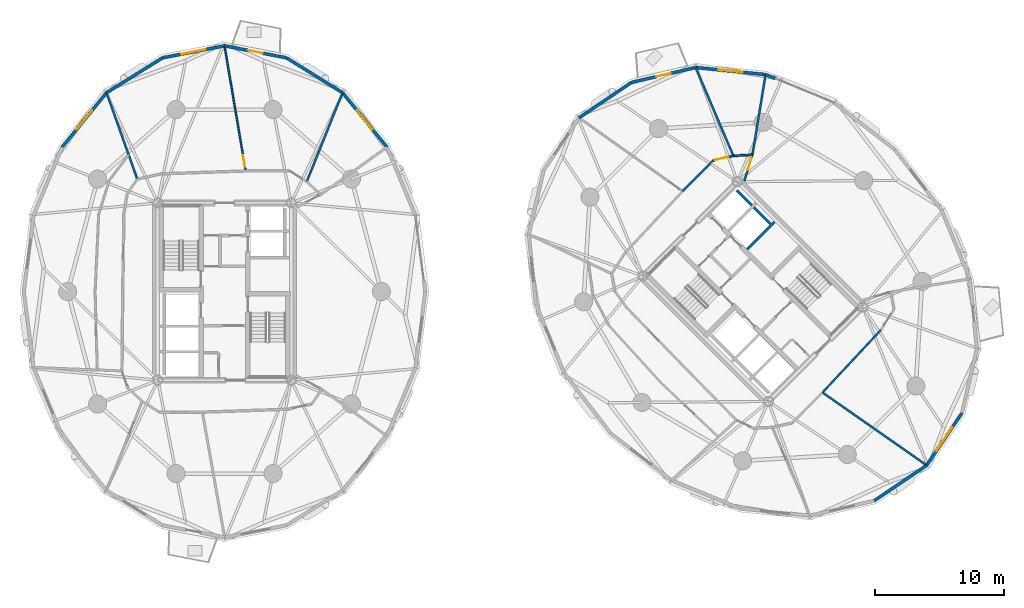
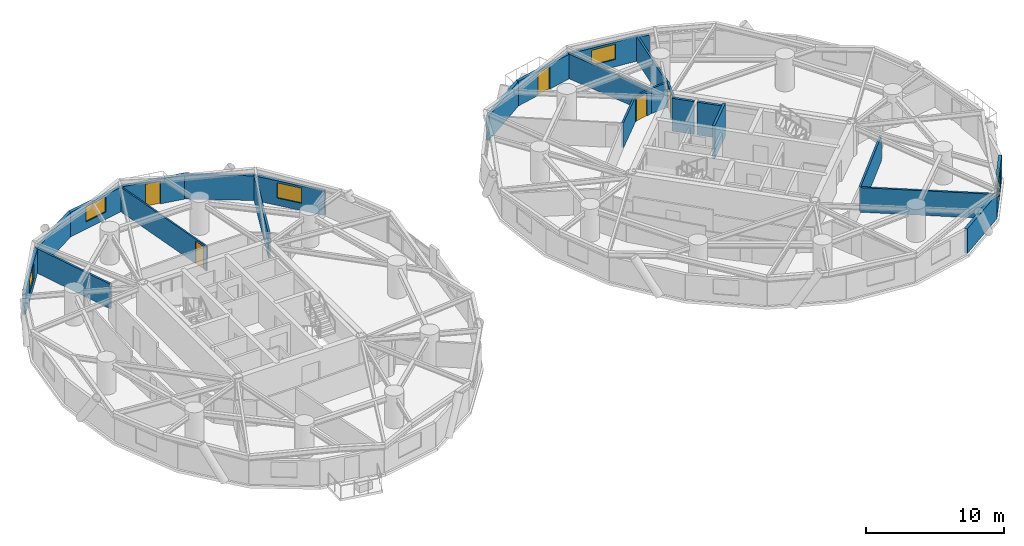
# One storey, part 13 of 17: 26 walls, 5 doors, 5 windows, 10 openings.
"""IFC4 building model written with IfcOpenShell, lengths in metres."""

from ifc_helpers import new_model, si_unit, direction, frame, frame_2d, origin, place, context, subcontext, project, spatial, rectangle, extrude, source, transform, mapped, material, layer, layer_set, type_object, element, fill, save


model = new_model("IFC4")

# Units and contexts
model_context = context("Model", 3, precision=1e-05, world=origin(), true_north=direction((0.0, 1.0)))
body_context = subcontext(model_context, "Body", "Model", "MODEL_VIEW")
ifc_project = project(units=[si_unit("LENGTHUNIT", "METRE"), si_unit("AREAUNIT", "SQUARE_METRE"), si_unit("VOLUMEUNIT", "CUBIC_METRE"), si_unit("PLANEANGLEUNIT", "RADIAN"), si_unit("MASSUNIT", "GRAM", prefix="KILO")], contexts=[model_context])

# Site, building, storey
site_placement = place(None, origin())
site = spatial("IfcSite", under=ifc_project, at=site_placement, CompositionType="ELEMENT")
building_placement = place(site_placement, origin())
building = spatial("IfcBuilding", under=site, at=building_placement, Name="Cununo Teusaquillo Station Towers", CompositionType="ELEMENT")
storey_placement = place(building_placement, frame((0.0, 0.0, 113.800048828125)))
storey = spatial("IfcBuildingStorey", under=building, at=storey_placement, Name="L36", CompositionType="ELEMENT", Elevation=113.800048828125)

# Walls
ifc_material_1 = material(Name="Concrete C50/60", Category="concrete")
ifc_layer_1 = layer(ifc_material_1, 0.199951171875)
ifc_layer_set_1 = layer_set([ifc_layer_1], Name="Concrete C50/60")
wall_type_1 = type_object("IfcWallType", Name="WL-CORE-200", PredefinedType="SHEAR", material=ifc_layer_set_1)
wall_1_placement = place(storey_placement, frame((57.0615234375, 27.781005859375, 0.0), z_axis=(0.0, 0.0, 1.0), x_axis=(0.707106781187, 0.707106781187, 0.0)))
element("IfcWall", 1, at=wall_1_placement, inside=storey, type_object=wall_type_1, Name="L36 Tower B Low-Rise Lift Hoistway South Shear Wall", PredefinedType="SHEAR", context=body_context, shape_type="SweptSolid", body=[
    extrude(rectangle(XDim=2.969970703125, YDim=0.199951171875, at=frame_2d((1.48486328125, 0.0))), origin(), (0.0, 0.0, 1.0), 2.909912109375),
])
wall_2_placement = place(storey_placement, frame((58.86474609375, 29.75390625, 0.0), z_axis=(0.0, 0.0, 1.0), x_axis=(-0.707174411312, 0.707039144592, 0.0)))
element("IfcWall", 2, at=wall_2_placement, inside=storey, type_object=wall_type_1, Name="L36 Tower B Low-Rise Lift 1 Shaft Rear Shear Wall", PredefinedType="SHEAR", context=body_context, shape_type="SweptSolid", body=[
    extrude(rectangle(XDim=1.804931640625, YDim=0.199951171875, at=frame_2d((0.90234375, 0.0))), origin(), (0.0, 0.0, 1.0), 2.909912109375),
])
wall_3_placement = place(storey_placement, frame((57.418701171875, 31.19970703125, 0.0), z_axis=(0.0, 0.0, 1.0), x_axis=(-0.707032117043, 0.707181437447, 0.0)))
element("IfcWall", 3, at=wall_3_placement, inside=storey, type_object=wall_type_1, Name="L36 Tower B Low-Rise Lift 2 Shaft Rear Shear Wall", PredefinedType="SHEAR", context=body_context, shape_type="SweptSolid", body=[
    extrude(rectangle(XDim=1.635009765625, YDim=0.199951171875, at=frame_2d((0.8173828125, 0.0))), origin(), (0.0, 0.0, 1.0), 2.909912109375),
])

# Wall, opening, window
ifc_material_2 = material(Name="Precast concrete C40/50", Category="concrete")
ifc_layer_2 = layer(ifc_material_2, 0.239990234375)
ifc_layer_set_2 = layer_set([ifc_layer_2], Name="Precast concrete C40/50")
wall_type_2 = type_object("IfcWallType", Name="WL-EXT-240", PredefinedType="SOLIDWALL", material=ifc_layer_set_2)
wall_4_placement = place(storey_placement, frame((25.658203125, 39.927978515625, 0.0), z_axis=(0.0, 0.0, 1.0), x_axis=(0.632700781152, -0.77439635945, 0.0)))
wall_4 = element("IfcWall", 4, at=wall_4_placement, inside=storey, type_object=wall_type_2, Name="L36 Tower A Exterior Facade Wall C02", PredefinedType="SOLIDWALL", context=body_context, shape_type="SweptSolid", body=[
    extrude(rectangle(XDim=5.447998046875, YDim=0.239990234375, at=frame_2d((2.72412109375, 0.0))), origin(), (0.0, 0.0, 1.0), 2.178955078125),
])
shared_shape_1 = source(origin(), body_context, "Body", "SweptSolid", [
    extrude(rectangle(XDim=1.89990234375, YDim=1.35009765625, at=frame_2d((0.949951171875, 0.675048828125))), frame((0.0, 0.1298828125, 0.0), z_axis=(0.0, -1.0, 0.0), x_axis=(1.0, 0.0, 0.0)), (0.0, 0.0, 1.0), 0.260009765625),
])
opening_1_placement = place(wall_4_placement, frame((1.77392578125, 0.0, 0.64990234375)))
opening_1 = element("IfcOpeningElement", 5, at=opening_1_placement, cuts=wall_4, Name="Opening WN-02", PredefinedType="OPENING", context=body_context, shape_type="MappedRepresentation", body=[
    mapped(shared_shape_1, transform((0.0, 0.0, 0.0), x_axis=(1.0, 0.0, 0.0), y_axis=(0.0, 1.0, 0.0), z_axis=(0.0, 0.0, 1.0), scale=1.0)),
])
ifc_material_3 = material(Name="Operable acoustic tinted low-E double glazing", Category="glass")
window_type_1 = type_object("IfcWindowType", Name="WIN-OPER-1900", PartitioningType="DOUBLE_PANEL_VERTICAL", PredefinedType="WINDOW", material=ifc_material_3)
shared_shape_2 = source(origin(), body_context, "Body", "SweptSolid", [
    extrude(rectangle(XDim=1.89990234375, YDim=1.35009765625, at=frame_2d((0.949951171875, 0.675048828125))), frame((0.0, 0.030029296875, 0.0), z_axis=(0.0, -1.0, 0.0), x_axis=(1.0, 0.0, 0.0)), (0.0, 0.0, 1.0), 0.06005859375),
])
window_1_placement = place(opening_1_placement, origin())
window_1 = element("IfcWindow", 6, at=window_1_placement, inside=storey, type_object=window_type_1, Name="L36 Tower A Facade Window C02", OverallHeight=1.35009765625, OverallWidth=1.89990234375, PartitioningType="DOUBLE_PANEL_VERTICAL", PredefinedType="WINDOW", context=body_context, shape_type="MappedRepresentation", body=[
    mapped(shared_shape_2, transform((0.0, 0.0, 0.0), x_axis=(1.0, 0.0, 0.0), y_axis=(0.0, 1.0, 0.0), z_axis=(0.0, 0.0, 1.0), scale=1.0)),
])
fill(opening_1, window_1)

# Wall
wall_5_placement = place(storey_placement, frame((21.314697265625, 42.63671875, 0.0), z_axis=(0.0, 0.0, 1.0), x_axis=(0.848520380187, -0.529162701263, 0.0)))
element("IfcWall", 7, at=wall_5_placement, inside=storey, type_object=wall_type_2, Name="L36 Tower A Exterior Facade Wall C03", PredefinedType="SOLIDWALL", context=body_context, shape_type="SweptSolid", body=[
    extrude(rectangle(XDim=5.118896484375, YDim=0.239990234375, at=frame_2d((2.5595703125, 0.0))), origin(), (0.0, 0.0, 1.0), 2.178955078125),
])

# Wall, opening, door
wall_6_placement = place(storey_placement, frame((16.5, 43.570068359375, 0.0), z_axis=(0.0, 0.0, 1.0), x_axis=(0.981723785992, -0.190311344954, 0.0)))
wall_6 = element("IfcWall", 8, at=wall_6_placement, inside=storey, type_object=wall_type_2, Name="L36 Tower A Exterior Facade Wall C04", PredefinedType="SOLIDWALL", context=body_context, shape_type="SweptSolid", body=[
    extrude(rectangle(XDim=4.904296875, YDim=0.239990234375, at=frame_2d((2.4521484375, 0.0))), origin(), (0.0, 0.0, 1.0), 2.178955078125),
])
shared_shape_3 = source(origin(), body_context, "Body", "SweptSolid", [
    extrude(rectangle(XDim=1.14990234375, YDim=2.0048828125, at=frame_2d((0.574951171875, 1.00244140625))), frame((0.0, 0.1298828125, 0.0), z_axis=(0.0, -1.0, 0.0), x_axis=(1.0, 0.0, 0.0)), (0.0, 0.0, 1.0), 0.260009765625),
])
opening_2_placement = place(wall_6_placement, frame((1.876953125, 0.0, 0.0)))
opening_2 = element("IfcOpeningElement", 9, at=opening_2_placement, cuts=wall_6, Name="Opening ED-03", PredefinedType="OPENING", context=body_context, shape_type="MappedRepresentation", body=[
    mapped(shared_shape_3, transform((0.0, 0.0, 0.0), x_axis=(1.0, 0.0, 0.0), y_axis=(0.0, 1.0, 0.0), z_axis=(0.0, 0.0, 1.0), scale=1.0)),
])
ifc_material_4 = material(Name="Anodised dark bronze aluminium EN AW-6063-T6", Category="aluminium")
door_type_1 = type_object("IfcDoorType", Name="DR-EXT-BAL", OperationType="NOTDEFINED", PredefinedType="DOOR", material=ifc_material_4)
shared_shape_4 = source(origin(), body_context, "Body", "SweptSolid", [
    extrude(rectangle(XDim=1.14990234375, YDim=2.0048828125, at=frame_2d((0.574951171875, 1.00244140625))), frame((0.0, 0.02490234375, 0.0), z_axis=(0.0, -1.0, 0.0), x_axis=(1.0, 0.0, 0.0)), (0.0, 0.0, 1.0), 0.050048828125),
])
door_1_placement = place(opening_2_placement, origin())
door_1 = element("IfcDoor", 10, at=door_1_placement, inside=storey, type_object=door_type_1, Name="L36 Tower A Tree Balcony Door C04", OperationType="SINGLE_SWING_LEFT", OverallHeight=2.0048828125, OverallWidth=1.14990234375, PredefinedType="DOOR", context=body_context, shape_type="MappedRepresentation", body=[
    mapped(shared_shape_4, transform((0.0, 0.0, 0.0), x_axis=(1.0, 0.0, 0.0), y_axis=(0.0, 1.0, 0.0), z_axis=(0.0, 0.0, 1.0), scale=1.0)),
])
fill(opening_2, door_1)

# Wall, opening, window
wall_7_placement = place(storey_placement, frame((11.685302734375, 42.63671875, 0.0), z_axis=(0.0, 0.0, 1.0), x_axis=(0.981723785992, 0.190311344954, 0.0)))
wall_7 = element("IfcWall", 11, at=wall_7_placement, inside=storey, type_object=wall_type_2, Name="L36 Tower A Exterior Facade Wall C05", PredefinedType="SOLIDWALL", context=body_context, shape_type="SweptSolid", body=[
    extrude(rectangle(XDim=4.904296875, YDim=0.239990234375, at=frame_2d((2.4521484375, 0.0))), origin(), (0.0, 0.0, 1.0), 2.178955078125),
])
opening_3_placement = place(wall_7_placement, frame((1.501953125, 0.0, 0.64990234375)))
opening_3 = element("IfcOpeningElement", 12, at=opening_3_placement, cuts=wall_7, Name="Opening WN-02", PredefinedType="OPENING", context=body_context, shape_type="MappedRepresentation", body=[
    mapped(shared_shape_1, transform((0.0, 0.0, 0.0), x_axis=(1.0, 0.0, 0.0), y_axis=(0.0, 1.0, 0.0), z_axis=(0.0, 0.0, 1.0), scale=1.0)),
])
window_2_placement = place(opening_3_placement, origin())
window_2 = element("IfcWindow", 13, at=window_2_placement, inside=storey, type_object=window_type_1, Name="L36 Tower A Facade Window C05", OverallHeight=1.35009765625, OverallWidth=1.89990234375, PartitioningType="DOUBLE_PANEL_VERTICAL", PredefinedType="WINDOW", context=body_context, shape_type="MappedRepresentation", body=[
    mapped(shared_shape_2, transform((0.0, 0.0, 0.0), x_axis=(1.0, 0.0, 0.0), y_axis=(0.0, 1.0, 0.0), z_axis=(0.0, 0.0, 1.0), scale=1.0)),
])
fill(opening_3, window_2)

# Wall
wall_8_placement = place(storey_placement, frame((7.341796875, 39.927978515625, 0.0), z_axis=(0.0, 0.0, 1.0), x_axis=(0.848520380187, 0.529162701263, 0.0)))
element("IfcWall", 14, at=wall_8_placement, inside=storey, type_object=wall_type_2, Name="L36 Tower A Exterior Facade Wall C06", PredefinedType="SOLIDWALL", context=body_context, shape_type="SweptSolid", body=[
    extrude(rectangle(XDim=5.118896484375, YDim=0.239990234375, at=frame_2d((2.5595703125, 0.0))), origin(), (0.0, 0.0, 1.0), 2.178955078125),
])

# Wall, opening, window
wall_9_placement = place(storey_placement, frame((3.894775390625, 35.708984375, 0.0), z_axis=(0.0, 0.0, 1.0), x_axis=(0.632700781152, 0.77439635945, 0.0)))
wall_9 = element("IfcWall", 15, at=wall_9_placement, inside=storey, type_object=wall_type_2, Name="L36 Tower A Exterior Facade Wall C07", PredefinedType="SOLIDWALL", context=body_context, shape_type="SweptSolid", body=[
    extrude(rectangle(XDim=5.447998046875, YDim=0.239990234375, at=frame_2d((2.72412109375, 0.0))), origin(), (0.0, 0.0, 1.0), 2.178955078125),
])
opening_4_placement = place(wall_9_placement, frame((1.77392578125, 0.0, 0.64990234375)))
opening_4 = element("IfcOpeningElement", 16, at=opening_4_placement, cuts=wall_9, Name="Opening WN-02", PredefinedType="OPENING", context=body_context, shape_type="MappedRepresentation", body=[
    mapped(shared_shape_1, transform((0.0, 0.0, 0.0), x_axis=(1.0, 0.0, 0.0), y_axis=(0.0, 1.0, 0.0), z_axis=(0.0, 0.0, 1.0), scale=1.0)),
])
window_3_placement = place(opening_4_placement, origin())
window_3 = element("IfcWindow", 17, at=window_3_placement, inside=storey, type_object=window_type_1, Name="L36 Tower A Facade Window C07", OverallHeight=1.35009765625, OverallWidth=1.89990234375, PartitioningType="DOUBLE_PANEL_VERTICAL", PredefinedType="WINDOW", context=body_context, shape_type="MappedRepresentation", body=[
    mapped(shared_shape_2, transform((0.0, 0.0, 0.0), x_axis=(1.0, 0.0, 0.0), y_axis=(0.0, 1.0, 0.0), z_axis=(0.0, 0.0, 1.0), scale=1.0)),
])
fill(opening_4, window_3)

# Wall
wall_10_placement = place(storey_placement, frame((58.4873046875, 41.33935546875, 0.0), z_axis=(0.0, 0.0, 1.0), x_axis=(0.924556017656, -0.381046152345, 0.0)))
element("IfcWall", 18, at=wall_10_placement, inside=storey, type_object=wall_type_2, Name="L36 Tower B Column Pier Cladding Wall C01-PA", PredefinedType="SOLIDWALL", context=body_context, shape_type="SweptSolid", body=[
    extrude(rectangle(XDim=0.8701171875, YDim=0.239990234375, at=frame_2d((0.43505859375, 0.0))), origin(), (0.0, 0.0, 1.0), 2.178955078125),
])

# Wall, opening, window
wall_11_placement = place(storey_placement, frame((53.066650390625, 41.885009765625, 0.0), z_axis=(0.0, 0.0, 1.0), x_axis=(0.994971754311, -0.10015591906, 0.0)))
wall_11 = element("IfcWall", 19, at=wall_11_placement, inside=storey, type_object=wall_type_2, Name="L36 Tower B Exterior Facade Wall C02", PredefinedType="SOLIDWALL", context=body_context, shape_type="SweptSolid", body=[
    extrude(rectangle(XDim=5.447998046875, YDim=0.239990234375, at=frame_2d((2.72412109375, 0.0))), origin(), (0.0, 0.0, 1.0), 2.178955078125),
])
opening_5_placement = place(wall_11_placement, frame((1.77392578125, 0.0, 0.64990234375)))
opening_5 = element("IfcOpeningElement", 20, at=opening_5_placement, cuts=wall_11, Name="Opening WN-02", PredefinedType="OPENING", context=body_context, shape_type="MappedRepresentation", body=[
    mapped(shared_shape_1, transform((0.0, 0.0, 0.0), x_axis=(1.0, 0.0, 0.0), y_axis=(0.0, 1.0, 0.0), z_axis=(0.0, 0.0, 1.0), scale=1.0)),
])
window_4_placement = place(opening_5_placement, origin())
window_4 = element("IfcWindow", 21, at=window_4_placement, inside=storey, type_object=window_type_1, Name="L36 Tower B Facade Window C02", OverallHeight=1.35009765625, OverallWidth=1.89990234375, PartitioningType="DOUBLE_PANEL_VERTICAL", PredefinedType="WINDOW", context=body_context, shape_type="MappedRepresentation", body=[
    mapped(shared_shape_2, transform((0.0, 0.0, 0.0), x_axis=(1.0, 0.0, 0.0), y_axis=(0.0, 1.0, 0.0), z_axis=(0.0, 0.0, 1.0), scale=1.0)),
])
fill(opening_5, window_4)

# Wall, opening, door
wall_12_placement = place(storey_placement, frame((48.080078125, 40.72900390625, 0.0), z_axis=(0.0, 0.0, 1.0), x_axis=(0.974165631126, 0.225834725257, 0.0)))
wall_12 = element("IfcWall", 22, at=wall_12_placement, inside=storey, type_object=wall_type_2, Name="L36 Tower B Exterior Facade Wall C03", PredefinedType="SOLIDWALL", context=body_context, shape_type="SweptSolid", body=[
    extrude(rectangle(XDim=5.118896484375, YDim=0.239990234375, at=frame_2d((2.5595703125, 0.0))), origin(), (0.0, 0.0, 1.0), 2.178955078125),
])
opening_6_placement = place(wall_12_placement, frame((1.98388671875, 0.0, 0.0)))
opening_6 = element("IfcOpeningElement", 23, at=opening_6_placement, cuts=wall_12, Name="Opening ED-03", PredefinedType="OPENING", context=body_context, shape_type="MappedRepresentation", body=[
    mapped(shared_shape_3, transform((0.0, 0.0, 0.0), x_axis=(1.0, 0.0, 0.0), y_axis=(0.0, 1.0, 0.0), z_axis=(0.0, 0.0, 1.0), scale=1.0)),
])
door_2_placement = place(opening_6_placement, origin())
door_2 = element("IfcDoor", 24, at=door_2_placement, inside=storey, type_object=door_type_1, Name="L36 Tower B Tree Balcony Door C03", OperationType="SINGLE_SWING_LEFT", OverallHeight=2.0048828125, OverallWidth=1.14990234375, PredefinedType="DOOR", context=body_context, shape_type="MappedRepresentation", body=[
    mapped(shared_shape_4, transform((0.0, 0.0, 0.0), x_axis=(1.0, 0.0, 0.0), y_axis=(0.0, 1.0, 0.0), z_axis=(0.0, 0.0, 1.0), scale=1.0)),
])
fill(opening_6, door_2)

# Walls
for number, where, z_axis, x_axis, name in (
    (25, (44.015380859375, 37.984619140625, 0.0), (0.0, 0.0, 1.0), (0.828781148131, 0.559572880421, 0.0), "L36 Tower B Exterior Facade Wall C04"),
    (26, (70.984619140625, 11.015380859375, 0.0), (0.0, 0.0, 1.0), (-0.828781148131, -0.559572880421, 0.0), "L36 Tower B Exterior Facade Wall C14"),
):
    element("IfcWall", number, at=place(storey_placement, frame(where, z_axis=z_axis, x_axis=x_axis)), inside=storey, type_object=wall_type_2, Name=name, PredefinedType="SOLIDWALL", context=body_context, shape_type="SweptSolid", body=[
        extrude(rectangle(XDim=4.904541015625, YDim=0.239990234375, at=frame_2d((2.4521484375, 0.0))), origin(), (0.0, 0.0, 1.0), 2.178955078125),
    ])

# Wall, opening, window
wall_13_placement = place(storey_placement, frame((73.72900390625, 15.080078125, 0.0), z_axis=(0.0, 0.0, 1.0), x_axis=(-0.559572880421, -0.828781148131, 0.0)))
wall_13 = element("IfcWall", 27, at=wall_13_placement, inside=storey, type_object=wall_type_2, Name="L36 Tower B Exterior Facade Wall C15", PredefinedType="SOLIDWALL", context=body_context, shape_type="SweptSolid", body=[
    extrude(rectangle(XDim=4.904541015625, YDim=0.239990234375, at=frame_2d((2.4521484375, 0.0))), origin(), (0.0, 0.0, 1.0), 2.178955078125),
])
shared_shape_5 = source(origin(), body_context, "Body", "SweptSolid", [
    extrude(rectangle(XDim=2.199951171875, YDim=1.35009765625, at=frame_2d((1.10009765625, 0.675048828125))), frame((0.0, 0.1298828125, 0.0), z_axis=(0.0, -1.0, 0.0), x_axis=(1.0, 0.0, 0.0)), (0.0, 0.0, 1.0), 0.260009765625),
])
opening_7_placement = place(wall_13_placement, frame((1.35205078125, 0.0, 0.64990234375)))
opening_7 = element("IfcOpeningElement", 28, at=opening_7_placement, cuts=wall_13, Name="Opening WN-01", PredefinedType="OPENING", context=body_context, shape_type="MappedRepresentation", body=[
    mapped(shared_shape_5, transform((0.0, 0.0, 0.0), x_axis=(1.0, 0.0, 0.0), y_axis=(0.0, 1.0, 0.0), z_axis=(0.0, 0.0, 1.0), scale=1.0)),
])
ifc_material_5 = material(Name="Ceramic-fritted dark low-E double glazing", Category="glass")
window_type_2 = type_object("IfcWindowType", Name="WIN-FRIT-2200", PartitioningType="DOUBLE_PANEL_VERTICAL", PredefinedType="WINDOW", material=ifc_material_5)
shared_shape_6 = source(origin(), body_context, "Body", "SweptSolid", [
    extrude(rectangle(XDim=2.199951171875, YDim=1.35009765625, at=frame_2d((1.10009765625, 0.675048828125))), frame((0.0, 0.030029296875, 0.0), z_axis=(0.0, -1.0, 0.0), x_axis=(1.0, 0.0, 0.0)), (0.0, 0.0, 1.0), 0.06005859375),
])
window_5_placement = place(opening_7_placement, origin())
window_5 = element("IfcWindow", 29, at=window_5_placement, inside=storey, type_object=window_type_2, Name="L36 Tower B Facade Window C15", OverallHeight=1.35009765625, OverallWidth=2.199951171875, PartitioningType="DOUBLE_PANEL_VERTICAL", PredefinedType="WINDOW", context=body_context, shape_type="MappedRepresentation", body=[
    mapped(shared_shape_6, transform((0.0, 0.0, 0.0), x_axis=(1.0, 0.0, 0.0), y_axis=(0.0, 1.0, 0.0), z_axis=(0.0, 0.0, 1.0), scale=1.0)),
])
fill(opening_7, window_5)

# Wall, opening, door
ifc_material_6 = material(Name="Fire-rated gypsum plasterboard partition assembly", Category="gypsum")
ifc_layer_3 = layer(ifc_material_6, 0.125)
ifc_layer_set_3 = layer_set([ifc_layer_3], Name="Fire-rated gypsum plasterboard partition assembly")
wall_type_3 = type_object("IfcWallType", Name="WL-PART-125", PredefinedType="PARTITIONING", material=ifc_layer_set_3)
wall_14_placement = place(storey_placement, frame((18.142822265625, 33.859619140625, 0.0), z_axis=(0.0, 0.0, 1.0), x_axis=(-0.167145472003, 0.985932244725, 0.0)))
wall_14 = element("IfcWall", 30, at=wall_14_placement, inside=storey, type_object=wall_type_3, Name="L36 Tower A Executive C-Suite Corner Office Suite Subdividing Wall", PredefinedType="PARTITIONING", context=body_context, shape_type="SweptSolid", body=[
    extrude(rectangle(XDim=9.82861328125, YDim=0.125, at=frame_2d((4.914306640625, 0.0))), origin(), (0.0, 0.0, 1.0), 2.178955078125),
])
shared_shape_7 = source(origin(), body_context, "Body", "SweptSolid", [
    extrude(rectangle(XDim=0.89990234375, YDim=2.0048828125, at=frame_2d((0.449951171875, 1.00244140625))), frame((0.0, 0.072509765625, 0.0), z_axis=(0.0, -1.0, 0.0), x_axis=(1.0, 0.0, 0.0)), (0.0, 0.0, 1.0), 0.14501953125),
])
opening_8_placement = place(wall_14_placement, frame((0.330078125, 0.0, 0.0)))
opening_8 = element("IfcOpeningElement", 31, at=opening_8_placement, cuts=wall_14, Name="Opening D-IN1", PredefinedType="OPENING", context=body_context, shape_type="MappedRepresentation", body=[
    mapped(shared_shape_7, transform((0.0, 0.0, 0.0), x_axis=(1.0, 0.0, 0.0), y_axis=(0.0, 1.0, 0.0), z_axis=(0.0, 0.0, 1.0), scale=1.0)),
])
ifc_material_7 = material(Name="Acoustic solid-core hardwood leaf assembly", Category="wood")
door_type_2 = type_object("IfcDoorType", Name="DR-INT-900", OperationType="NOTDEFINED", PredefinedType="DOOR", material=ifc_material_7)
shared_shape_8 = source(origin(), body_context, "Body", "SweptSolid", [
    extrude(rectangle(XDim=0.89990234375, YDim=2.0048828125, at=frame_2d((0.449951171875, 1.00244140625))), frame((0.0, 0.02490234375, 0.0), z_axis=(0.0, -1.0, 0.0), x_axis=(1.0, 0.0, 0.0)), (0.0, 0.0, 1.0), 0.050048828125),
])
door_3_placement = place(opening_8_placement, origin())
door_3 = element("IfcDoor", 32, at=door_3_placement, inside=storey, type_object=door_type_2, Name="L36 Tower A Executive C-Suite Corner Office Suite Connecting Door", OperationType="SINGLE_SWING_LEFT", OverallHeight=2.0048828125, OverallWidth=0.89990234375, PredefinedType="DOOR", context=body_context, shape_type="MappedRepresentation", body=[
    mapped(shared_shape_8, transform((0.0, 0.0, 0.0), x_axis=(1.0, 0.0, 0.0), y_axis=(0.0, 1.0, 0.0), z_axis=(0.0, 0.0, 1.0), scale=1.0)),
])
fill(opening_8, door_3)

# Wall
ifc_material_8 = material(Name="Fire-rated gypsum plasterboard partition assembly", Category="gypsum")
ifc_layer_4 = layer(ifc_material_8, 0.14990234375)
ifc_layer_set_4 = layer_set([ifc_layer_4], Name="Fire-rated gypsum plasterboard partition assembly")
wall_type_4 = type_object("IfcWallType", Name="WL-PART-150", PredefinedType="PARTITIONING", material=ifc_layer_set_4)
wall_15_placement = place(storey_placement, frame((57.466796875, 35.111328125, 0.0), z_axis=(0.0, 0.0, 1.0), x_axis=(-0.998691757323, -0.051134859488, 0.0)))
element("IfcWall", 33, at=wall_15_placement, inside=storey, type_object=wall_type_4, Name="L36 Tower B Corridor Ring Wall C02", PredefinedType="PARTITIONING", context=body_context, shape_type="SweptSolid", body=[
    extrude(rectangle(XDim=1.48486328125, YDim=0.14990234375, at=frame_2d((0.742431640625, 0.0))), origin(), (0.0, 0.0, 1.0), 2.224853515625),
])

# Wall, opening, door
wall_16_placement = place(storey_placement, frame((55.98388671875, 35.035400390625, 0.0), z_axis=(0.0, 0.0, 1.0), x_axis=(-0.975290305708, -0.22092718165, 0.0)))
wall_16 = element("IfcWall", 34, at=wall_16_placement, inside=storey, type_object=wall_type_4, Name="L36 Tower B Corridor Ring Wall C03", PredefinedType="PARTITIONING", context=body_context, shape_type="SweptSolid", body=[
    extrude(rectangle(XDim=1.596923828125, YDim=0.14990234375, at=frame_2d((0.79833984375, 0.0))), origin(), (0.0, 0.0, 1.0), 2.224853515625),
])
shared_shape_9 = source(origin(), body_context, "Body", "SweptSolid", [
    extrude(rectangle(XDim=1.050048828125, YDim=2.014892578125, at=frame_2d((0.52490234375, 1.00732421875))), frame((0.0, 0.0849609375, 0.0), z_axis=(0.0, -1.0, 0.0), x_axis=(1.0, 0.0, 0.0)), (0.0, 0.0, 1.0), 0.169921875),
])
opening_9_placement = place(wall_16_placement, frame((0.4267578125, 0.0, 0.0)))
opening_9 = element("IfcOpeningElement", 35, at=opening_9_placement, cuts=wall_16, Name="Opening D-SU1", PredefinedType="OPENING", context=body_context, shape_type="MappedRepresentation", body=[
    mapped(shared_shape_9, transform((0.0, 0.0, 0.0), x_axis=(1.0, 0.0, 0.0), y_axis=(0.0, 1.0, 0.0), z_axis=(0.0, 0.0, 1.0), scale=1.0)),
])
ifc_material_9 = material(Name="Acoustic solid-core hardwood leaf assembly", Category="wood")
door_type_3 = type_object("IfcDoorType", Name="DR-SUITE-1050", OperationType="NOTDEFINED", PredefinedType="DOOR", material=ifc_material_9)
shared_shape_10 = source(origin(), body_context, "Body", "SweptSolid", [
    extrude(rectangle(XDim=1.050048828125, YDim=2.014892578125, at=frame_2d((0.52490234375, 1.00732421875))), frame((0.0, 0.02490234375, 0.0), z_axis=(0.0, -1.0, 0.0), x_axis=(1.0, 0.0, 0.0)), (0.0, 0.0, 1.0), 0.050048828125),
])
door_4_placement = place(opening_9_placement, origin())
door_4 = element("IfcDoor", 36, at=door_4_placement, inside=storey, type_object=door_type_3, Name="L36 Tower B Executive C-Suite Corner Office Entrance Door", OperationType="SINGLE_SWING_LEFT", OverallHeight=2.014892578125, OverallWidth=1.050048828125, PredefinedType="DOOR", context=body_context, shape_type="MappedRepresentation", body=[
    mapped(shared_shape_10, transform((0.0, 0.0, 0.0), x_axis=(1.0, 0.0, 0.0), y_axis=(0.0, 1.0, 0.0), z_axis=(0.0, 0.0, 1.0), scale=1.0)),
])
fill(opening_9, door_4)

# Walls
wall_17_placement = place(storey_placement, frame((54.426513671875, 34.6826171875, 0.0), z_axis=(0.0, 0.0, 1.0), x_axis=(-0.704178989986, -0.710022499687, 0.0)))
element("IfcWall", 37, at=wall_17_placement, inside=storey, type_object=wall_type_4, Name="L36 Tower B Corridor Ring Wall C04", PredefinedType="PARTITIONING", context=body_context, shape_type="SweptSolid", body=[
    extrude(rectangle(XDim=3.38427734375, YDim=0.14990234375, at=frame_2d((1.692138671875, 0.0))), origin(), (0.0, 0.0, 1.0), 2.224853515625),
])
wall_18_placement = place(storey_placement, frame((62.902587890625, 16.66650390625, 0.0), z_axis=(0.0, 0.0, 1.0), x_axis=(0.682371947497, 0.731005147225, 0.0)))
element("IfcWall", 38, at=wall_18_placement, inside=storey, type_object=wall_type_4, Name="L36 Tower B Corridor Ring Wall C15", PredefinedType="PARTITIONING", context=body_context, shape_type="SweptSolid", body=[
    extrude(rectangle(XDim=6.6416015625, YDim=0.14990234375, at=frame_2d((3.32080078125, 0.0))), origin(), (0.0, 0.0, 1.0), 2.224853515625),
])
ifc_material_10 = material(Name="Fire-rated gypsum plasterboard partition assembly", Category="gypsum")
ifc_layer_5 = layer(ifc_material_10, 0.159912109375)
ifc_layer_set_5 = layer_set([ifc_layer_5], Name="Fire-rated gypsum plasterboard partition assembly")
wall_type_5 = type_object("IfcWallType", Name="WL-PART-160", PredefinedType="PARTITIONING", material=ifc_layer_set_5)
wall_19_placement = place(storey_placement, frame((22.87744140625, 33.021728515625, 0.0), z_axis=(0.0, 0.0, 1.0), x_axis=(0.372898022516, 0.927872332168, 0.0)))
element("IfcWall", 39, at=wall_19_placement, inside=storey, type_object=wall_type_5, Name="L36 Tower A Radial Suite Partition R02", PredefinedType="PARTITIONING", context=body_context, shape_type="SweptSolid", body=[
    extrude(rectangle(XDim=7.42578125, YDim=0.159912109375, at=frame_2d((3.712890625, 0.0))), origin(), (0.0, 0.0, 1.0), 2.178955078125),
])
wall_20_placement = place(storey_placement, frame((9.7294921875, 33.224853515625, 0.0), z_axis=(0.0, 0.0, 1.0), x_axis=(-0.334806049563, 0.942287063042, 0.0)))
element("IfcWall", 40, at=wall_20_placement, inside=storey, type_object=wall_type_5, Name="L36 Tower A Radial Suite Partition R03", PredefinedType="PARTITIONING", context=body_context, shape_type="SweptSolid", body=[
    extrude(rectangle(XDim=7.0966796875, YDim=0.159912109375, at=frame_2d((3.54833984375, 0.0))), origin(), (0.0, 0.0, 1.0), 2.178955078125),
])
wall_21_placement = place(storey_placement, frame((57.466796875, 35.111328125, 0.0), z_axis=(0.0, 0.0, 1.0), x_axis=(0.161711214096, 0.98683812413, 0.0)))
element("IfcWall", 41, at=wall_21_placement, inside=storey, type_object=wall_type_5, Name="L36 Tower B Radial Suite Partition R01", PredefinedType="PARTITIONING", context=body_context, shape_type="SweptSolid", body=[
    extrude(rectangle(XDim=6.291015625, YDim=0.159912109375, at=frame_2d((3.1455078125, 0.0))), origin(), (0.0, 0.0, 1.0), 2.178955078125),
])
wall_22_placement = place(storey_placement, frame((55.98388671875, 35.035400390625, 0.0), z_axis=(0.0, 0.0, 1.0), x_axis=(-0.392438685048, 0.919778168081, 0.0)))
element("IfcWall", 42, at=wall_22_placement, inside=storey, type_object=wall_type_5, Name="L36 Tower B Radial Suite Partition R02", PredefinedType="PARTITIONING", context=body_context, shape_type="SweptSolid", body=[
    extrude(rectangle(XDim=7.425537109375, YDim=0.159912109375, at=frame_2d((3.712890625, 0.0))), origin(), (0.0, 0.0, 1.0), 2.178955078125),
])
wall_23_placement = place(storey_placement, frame((62.902587890625, 16.66650390625, 0.0), z_axis=(0.0, 0.0, 1.0), x_axis=(0.819735047612, -0.572742919395, 0.0)))
element("IfcWall", 43, at=wall_23_placement, inside=storey, type_object=wall_type_5, Name="L36 Tower B Radial Suite Partition R05", PredefinedType="PARTITIONING", context=body_context, shape_type="SweptSolid", body=[
    extrude(rectangle(XDim=9.842041015625, YDim=0.159912109375, at=frame_2d((4.9208984375, 0.0))), origin(), (0.0, 0.0, 1.0), 2.178955078125),
])

# Wall, opening, door
wall_24_placement = place(storey_placement, frame((56.828125, 33.055908203125, 0.0), z_axis=(0.0, 0.0, 1.0), x_axis=(0.296730996083, 0.954961107042, 0.0)))
wall_24 = element("IfcWall", 44, at=wall_24_placement, inside=storey, type_object=wall_type_5, Name="L36 Tower B East Salon Corridor Portal Wall NE", PredefinedType="PARTITIONING", context=body_context, shape_type="SweptSolid", body=[
    extrude(rectangle(XDim=2.15234375, YDim=0.159912109375, at=frame_2d((1.076171875, 0.0))), origin(), (0.0, 0.0, 1.0), 2.224853515625),
])
shared_shape_11 = source(origin(), body_context, "Body", "SweptSolid", [
    extrude(rectangle(XDim=1.050048828125, YDim=2.014892578125, at=frame_2d((0.52490234375, 1.00732421875))), frame((0.0, 0.08984375, 0.0), z_axis=(0.0, -1.0, 0.0), x_axis=(1.0, 0.0, 0.0)), (0.0, 0.0, 1.0), 0.179931640625),
])
opening_10_placement = place(wall_24_placement, frame((0.902099609375, 0.0, 0.0)))
opening_10 = element("IfcOpeningElement", 45, at=opening_10_placement, cuts=wall_24, Name="Opening D-SU1", PredefinedType="OPENING", context=body_context, shape_type="MappedRepresentation", body=[
    mapped(shared_shape_11, transform((0.0, 0.0, 0.0), x_axis=(1.0, 0.0, 0.0), y_axis=(0.0, 1.0, 0.0), z_axis=(0.0, 0.0, 1.0), scale=1.0)),
])
door_5_placement = place(opening_10_placement, origin())
door_5 = element("IfcDoor", 46, at=door_5_placement, inside=storey, type_object=door_type_3, Name="L36 Tower B East Panorama Sky Salon Door NE", OperationType="SINGLE_SWING_LEFT", OverallHeight=2.014892578125, OverallWidth=1.050048828125, PredefinedType="DOOR", context=body_context, shape_type="MappedRepresentation", body=[
    mapped(shared_shape_10, transform((0.0, 0.0, 0.0), x_axis=(1.0, 0.0, 0.0), y_axis=(0.0, 1.0, 0.0), z_axis=(0.0, 0.0, 1.0), scale=1.0)),
])
fill(opening_10, door_5)

save(model, "model.ifc")
